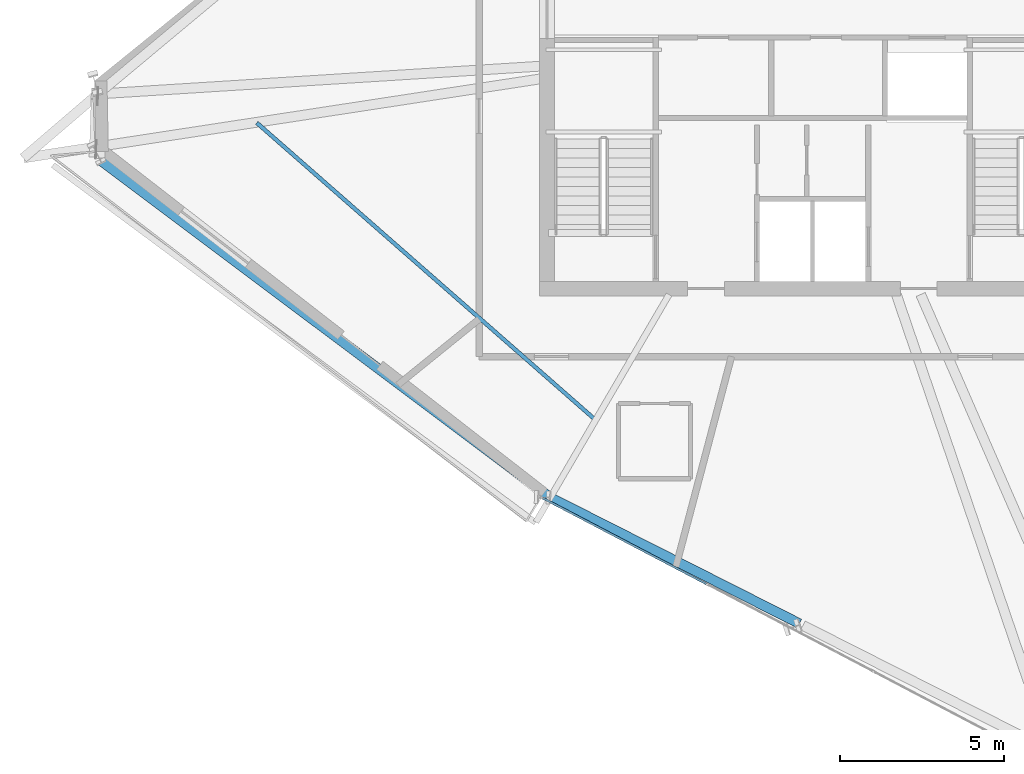
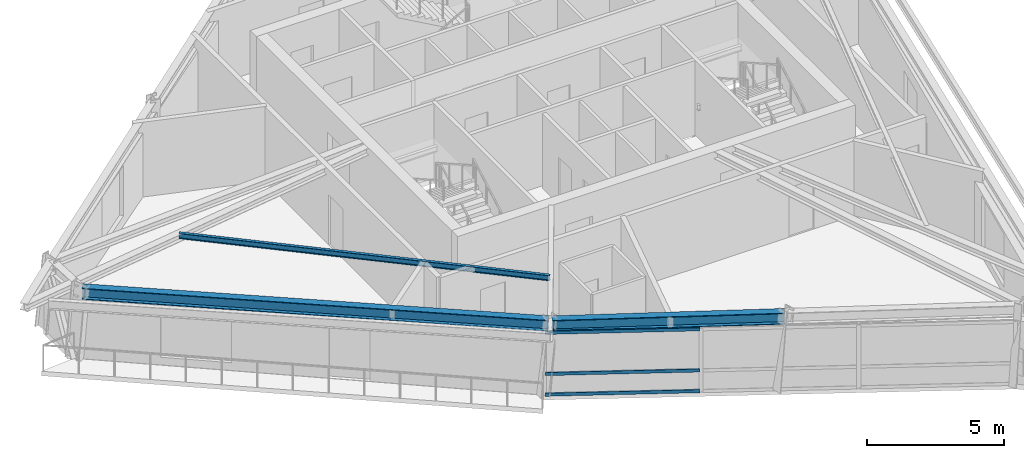
# One storey, part 3 of 14: 3 beams, 3 members, 1 element without a shape of its own.
"""IFC4 building model written with IfcOpenShell, lengths in metres."""

from ifc_helpers import new_model, si_unit, direction, frame, origin, origin_2d, place, context, subcontext, project, spatial, hollow_rectangle, i_section, extrude, source, transform, mapped, material, material_profile, profile_set, type_object, element, aggregate, save


model = new_model("IFC4")

# Units and contexts
model_context = context("Model", 3, precision=1e-05, world=origin(), true_north=direction((0.0, 1.0)))
body_context = subcontext(model_context, "Body", "Model", "MODEL_VIEW")
ifc_project = project(units=[si_unit("LENGTHUNIT", "METRE"), si_unit("AREAUNIT", "SQUARE_METRE"), si_unit("VOLUMEUNIT", "CUBIC_METRE"), si_unit("PLANEANGLEUNIT", "RADIAN"), si_unit("MASSUNIT", "GRAM", prefix="KILO")], contexts=[model_context])

# Site, building, storey
site_placement = place(None, origin())
site = spatial("IfcSite", under=ifc_project, at=site_placement, CompositionType="ELEMENT")
building_placement = place(site_placement, origin())
building = spatial("IfcBuilding", under=site, at=building_placement, Name="Olszyna Solenne Hotel", CompositionType="ELEMENT")
storey_placement = place(building_placement, frame((0.0, 0.0, 274.10009765625)))
storey = spatial("IfcBuildingStorey", under=building, at=storey_placement, Name="L73", CompositionType="ELEMENT", Elevation=274.10009765625)

# Beams
ifc_material_1 = material(Name="Steel S355J2", Category="steel")
ifc_material_profile_1 = material_profile(ifc_material_1, i_section(OverallWidth=0.300048828125, OverallDepth=0.5, WebThickness=0.014404296875, FlangeThickness=0.028076171875, at=origin_2d()), Name="HEB 500", Category="load-bearing")
ifc_profile_set_1 = profile_set([ifc_material_profile_1], Name="Steel S355J2")
beam_type_1 = type_object("IfcBeamType", Name="BM-S3", PredefinedType="BEAM", material=ifc_profile_set_1)
shared_shape_1 = source(origin(), body_context, "Body", "SweptSolid", [
    extrude(i_section(OverallWidth=0.300048828125, OverallDepth=0.5, WebThickness=0.014404296875, FlangeThickness=0.028076171875, at=origin_2d()), origin(), (0.0, 0.0, 1.0), 17.07763671875),
])
beam_1_placement = place(storey_placement, frame((16.26318359375, 23.167724609375, 3.06982421875), z_axis=(0.800183521714, -0.599755226386, 0.0), x_axis=(0.599755226386, 0.800183521714, 0.0)))
element("IfcBeam", 1, at=beam_1_placement, inside=storey, type_object=beam_type_1, Name="Perimeter spandrel beam BM-S3 B-L73-2145", PredefinedType="BEAM", context=body_context, shape_type="MappedRepresentation", body=[
    mapped(shared_shape_1, transform((0.0, 0.0, 0.0), x_axis=(1.0, 0.0, 0.0), y_axis=(0.0, 1.0, 0.0), z_axis=(0.0, 0.0, 1.0), scale=1.0)),
])
shared_shape_2 = source(origin(), body_context, "Body", "SweptSolid", [
    extrude(i_section(OverallWidth=0.300048828125, OverallDepth=0.5, WebThickness=0.014404296875, FlangeThickness=0.028076171875, at=origin_2d()), origin(), (0.0, 0.0, 1.0), 8.47900390625),
])
beam_2_placement = place(storey_placement, frame((30.030029296875, 12.8623046875, 3.06982421875), z_axis=(0.892233967933, -0.451573412047, 0.0), x_axis=(0.451573412047, 0.892233967933, 0.0)))
element("IfcBeam", 2, at=beam_2_placement, inside=storey, type_object=beam_type_1, Name="Perimeter spandrel beam BM-S3 B-L73-2146", PredefinedType="BEAM", context=body_context, shape_type="MappedRepresentation", body=[
    mapped(shared_shape_2, transform((0.0, 0.0, 0.0), x_axis=(1.0, 0.0, 0.0), y_axis=(0.0, 1.0, 0.0), z_axis=(0.0, 0.0, 1.0), scale=1.0)),
])
ifc_material_profile_2 = material_profile(ifc_material_1, i_section(OverallWidth=0.1201171875, OverallDepth=0.239990234375, WebThickness=0.006103515625, FlangeThickness=0.009765625, at=origin_2d()), Name="IPE 240", Category="load-bearing")
ifc_profile_set_2 = profile_set([ifc_material_profile_2], Name="Steel S355J2")
beam_type_2 = type_object("IfcBeamType", Name="JS-03", PredefinedType="JOIST", material=ifc_profile_set_2)
shared_shape_3 = source(origin(), body_context, "Body", "SweptSolid", [
    extrude(i_section(OverallWidth=0.1201171875, OverallDepth=0.239990234375, WebThickness=0.006103515625, FlangeThickness=0.009765625, at=origin_2d()), origin(), (0.0, 0.0, 1.0), 13.761474609375),
])
beam_3_placement = place(storey_placement, frame((21.003662109375, 24.345703125, 3.199951171875), z_axis=(0.751768370501, -0.659427264461, 0.0), x_axis=(0.659427264461, 0.751768370501, 0.0)))
element("IfcBeam", 3, at=beam_3_placement, inside=storey, type_object=beam_type_2, Name="Secondary composite floor joist JS-03 B-L73-2163", PredefinedType="JOIST", context=body_context, shape_type="MappedRepresentation", body=[
    mapped(shared_shape_3, transform((0.0, 0.0, 0.0), x_axis=(1.0, 0.0, 0.0), y_axis=(0.0, 1.0, 0.0), z_axis=(0.0, 0.0, 1.0), scale=1.0)),
])

# Curtain wall, members
ifc_material_2 = material(Name="Anodised bronze aluminium", Category="aluminium")
curtain_wall_type = type_object("IfcCurtainWallType", Name="CW-SYS-4", PredefinedType="NOTDEFINED", material=ifc_material_2)
curtain_wall_placement = place(storey_placement, origin())
curtain_wall = element("IfcCurtainWall", 4, at=curtain_wall_placement, inside=storey, type_object=curtain_wall_type, Name="Unitised curtain wall CW-SYS-4 CW-L73-01", PredefinedType="NOTDEFINED")
ifc_material_profile_3 = material_profile(ifc_material_2, hollow_rectangle(XDim=0.06494140625, YDim=0.139892578125, WallThickness=0.00390625, at=origin_2d()), Name="TRAN 140x65x4", Category="load-bearing")
ifc_profile_set_3 = profile_set([ifc_material_profile_3], Name="Anodised bronze aluminium")
member_type = type_object("IfcMemberType", Name="CW-T2", PredefinedType="USERDEFINED", material=ifc_profile_set_3)
shared_shape_4 = source(origin(), body_context, "Body", "SweptSolid", [
    extrude(hollow_rectangle(XDim=0.06494140625, YDim=0.139892578125, WallThickness=0.00390625, at=origin_2d()), origin(), (0.0, 0.0, 1.0), 5.644287109375),
])
member_1_placement = place(storey_placement, frame((29.749267578125, 12.871337890625, 0.032470703125), z_axis=(0.885573185201, -0.464499874762, 0.0), x_axis=(0.464499874762, 0.885573185201, 0.0)))
member_1 = element("IfcMember", 5, at=member_1_placement, type_object=member_type, Name="Curtain-wall transom CW-T2 CT-L73-01-01", ObjectType="TRANSOM", PredefinedType="USERDEFINED", context=body_context, shape_type="MappedRepresentation", body=[
    mapped(shared_shape_4, transform((0.0, 0.0, 0.0), x_axis=(1.0, 0.0, 0.0), y_axis=(0.0, 1.0, 0.0), z_axis=(0.0, 0.0, 1.0), scale=1.0)),
])
member_2_placement = place(storey_placement, frame((29.749267578125, 12.871337890625, 0.949951171875), z_axis=(0.885573185201, -0.464499874762, 0.0), x_axis=(0.464499874762, 0.885573185201, 0.0)))
member_2 = element("IfcMember", 6, at=member_2_placement, type_object=member_type, Name="Curtain-wall transom CW-T2 CT-L73-01-02", ObjectType="TRANSOM", PredefinedType="USERDEFINED", context=body_context, shape_type="MappedRepresentation", body=[
    mapped(shared_shape_4, transform((0.0, 0.0, 0.0), x_axis=(1.0, 0.0, 0.0), y_axis=(0.0, 1.0, 0.0), z_axis=(0.0, 0.0, 1.0), scale=1.0)),
])
member_3_placement = place(storey_placement, frame((29.749267578125, 12.871337890625, 2.779296875), z_axis=(0.885573185201, -0.464499874762, 0.0), x_axis=(0.464499874762, 0.885573185201, 0.0)))
member_3 = element("IfcMember", 7, at=member_3_placement, type_object=member_type, Name="Curtain-wall transom CW-T2 CT-L73-01-03", ObjectType="TRANSOM", PredefinedType="USERDEFINED", context=body_context, shape_type="MappedRepresentation", body=[
    mapped(shared_shape_4, transform((0.0, 0.0, 0.0), x_axis=(1.0, 0.0, 0.0), y_axis=(0.0, 1.0, 0.0), z_axis=(0.0, 0.0, 1.0), scale=1.0)),
])
aggregate(curtain_wall, [member_1, member_2, member_3])

save(model, "model.ifc")
